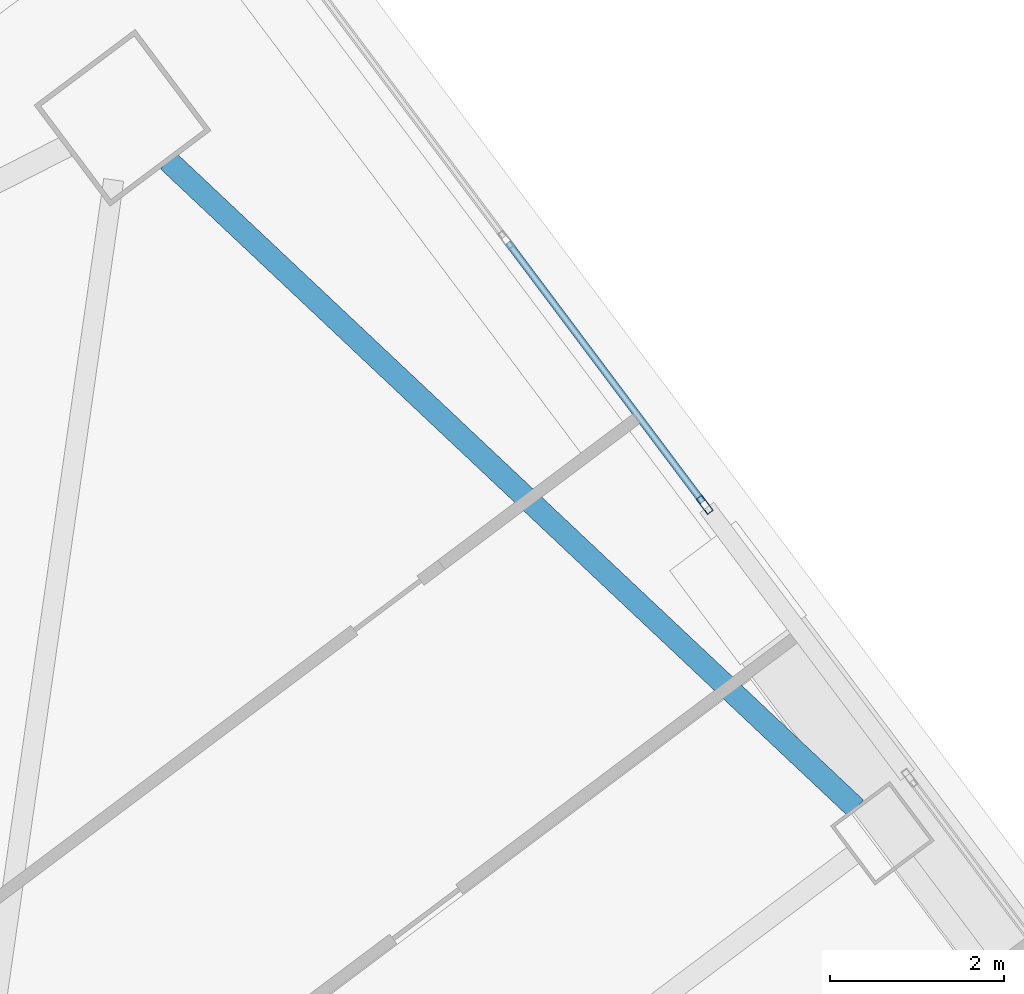
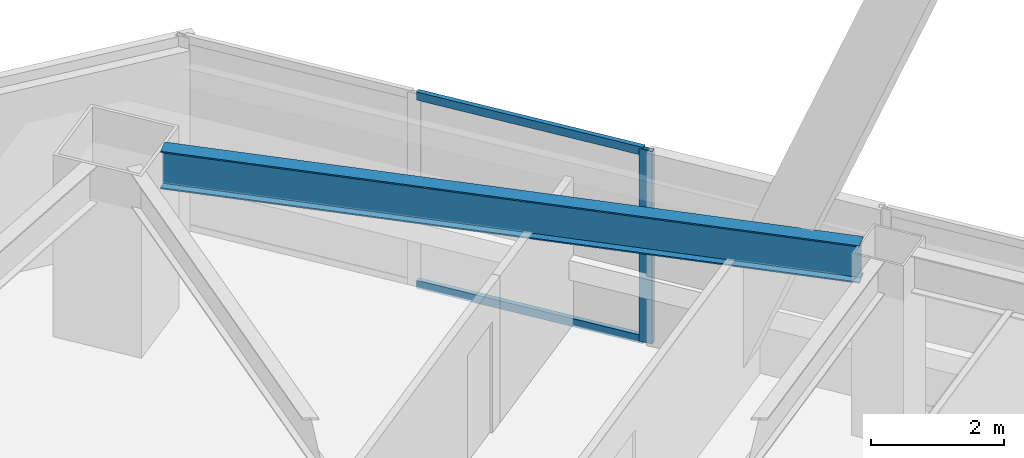
# One storey, part 37 of 54: 3 members, 1 beam, 1 element without a shape of its own.
"""IFC4 building model written with IfcOpenShell, lengths in metres."""

from ifc_helpers import new_model, si_unit, direction, frame, origin, origin_2d, place, context, subcontext, project, spatial, hollow_rectangle, i_section, extrude, material, material_profile, profile_set, type_object, element, aggregate, save


model = new_model("IFC4")

# Units and contexts
model_context = context("Model", 3, precision=1e-05, world=origin(), true_north=direction((0.0, 1.0)))
body_context = subcontext(model_context, "Body", "Model", "MODEL_VIEW")
ifc_project = project(units=[si_unit("LENGTHUNIT", "METRE"), si_unit("AREAUNIT", "SQUARE_METRE"), si_unit("VOLUMEUNIT", "CUBIC_METRE"), si_unit("PLANEANGLEUNIT", "RADIAN"), si_unit("MASSUNIT", "GRAM", prefix="KILO")], contexts=[model_context])

# Site, building, storey
site_placement = place(None, origin())
site = spatial("IfcSite", under=ifc_project, at=site_placement, CompositionType="ELEMENT")
building_placement = place(site_placement, origin())
building = spatial("IfcBuilding", under=site, at=building_placement, Name="Tashvorn Skyway Center", CompositionType="ELEMENT")
storey_placement = place(building_placement, frame((0.0, 0.0, 88.5)))
storey = spatial("IfcBuildingStorey", under=building, at=storey_placement, Name="L23", CompositionType="ELEMENT", Elevation=88.5)

# Beam
ifc_material_1 = material(Name="Steel ASTM A992 Grade 50", Category="steel")
ifc_material_profile_1 = material_profile(ifc_material_1, i_section(OverallWidth=0.256103515625, OverallDepth=0.693115234375, WebThickness=0.014404296875, FlangeThickness=0.023681640625, at=origin_2d()), Name="W27X114")
ifc_profile_set_1 = profile_set([ifc_material_profile_1], Name="Steel ASTM A992 Grade 50")
beam_type = type_object("IfcBeamType", Name="BM-SPANDREL-W27X114", PredefinedType="SPANDREL", material=ifc_profile_set_1)
beam_placement = place(storey_placement, frame((125.854248046875, 48.157958984375, 3.00341796875), z_axis=(-0.728086883893, 0.685484857238, 0.0), x_axis=(-0.685484857238, -0.728086883893, 0.0)))
element("IfcBeam", 1, at=beam_placement, inside=storey, type_object=beam_type, Name="Tower 2 L23 Spandrel Beam 06", PredefinedType="SPANDREL", context=body_context, shape_type="SweptSolid", body=[
    extrude(i_section(OverallWidth=0.256103515625, OverallDepth=0.693115234375, WebThickness=0.014404296875, FlangeThickness=0.023681640625, at=origin_2d()), origin(), (0.0, 0.0, 1.0), 10.8369140625),
])

# Curtain wall, members
ifc_material_2 = material(Name="Thermally broken bronze-anodized aluminium 6063-T6", Category="aluminium")
curtain_wall_type = type_object("IfcCurtainWallType", Name="CW-CW-Z2", PredefinedType="NOTDEFINED", material=ifc_material_2)
curtain_wall_placement = place(storey_placement, origin())
curtain_wall = element("IfcCurtainWall", 2, at=curtain_wall_placement, inside=storey, type_object=curtain_wall_type, Name="Tower 2 L23 East Unitised Curtain Wall Glazing Group 1", PredefinedType="NOTDEFINED")
ifc_material_profile_2 = material_profile(ifc_material_2, hollow_rectangle(XDim=0.080078125, YDim=0.219970703125, WallThickness=0.0048828125, at=origin_2d()), Name="ALU-MULL-80x220")
ifc_profile_set_2 = profile_set([ifc_material_profile_2], Name="Thermally broken bronze-anodized aluminium 6063-T6")
member_type_1 = type_object("IfcMemberType", Name="CWM-CW-Z2", PredefinedType="MULLION", material=ifc_profile_set_2)
member_1_placement = place(storey_placement, frame((124.1201171875, 51.639892578125, 0.0), z_axis=(0.0, 0.0, 1.0), x_axis=(0.799999999998, 0.600000000002, 0.0)))
member_1 = element("IfcMember", 3, at=member_1_placement, type_object=member_type_1, Name="CW-Z2 mullion 3", PredefinedType="MULLION", context=body_context, shape_type="SweptSolid", body=[
    extrude(hollow_rectangle(XDim=0.080078125, YDim=0.219970703125, WallThickness=0.0048828125, at=origin_2d()), origin(), (0.0, 0.0, 1.0), 3.550048828125),
])
ifc_material_profile_3 = material_profile(ifc_material_2, hollow_rectangle(XDim=0.080078125, YDim=0.14990234375, WallThickness=0.00439453125, at=origin_2d()), Name="ALU-TRAN-80x150")
ifc_profile_set_3 = profile_set([ifc_material_profile_3], Name="Thermally broken bronze-anodized aluminium 6063-T6")
member_type_2 = type_object("IfcMemberType", Name="CWT-CW-Z2", PredefinedType="USERDEFINED", material=ifc_profile_set_3)
member_2_placement = place(storey_placement, frame((121.864013671875, 54.64794921875, 0.0400390625), z_axis=(0.600010501117, -0.799992124055, 0.0), x_axis=(0.799992124055, 0.600010501117, 0.0)))
member_2 = element("IfcMember", 4, at=member_2_placement, type_object=member_type_2, Name="CW-Z2 transom 2.1", ObjectType="TRANSOM", PredefinedType="USERDEFINED", context=body_context, shape_type="SweptSolid", body=[
    extrude(hollow_rectangle(XDim=0.080078125, YDim=0.14990234375, WallThickness=0.00439453125, at=origin_2d()), origin(), (0.0, 0.0, 1.0), 3.7197265625),
])
member_3_placement = place(storey_placement, frame((121.864013671875, 54.64794921875, 3.510009765625), z_axis=(0.600010501117, -0.799992124055, 0.0), x_axis=(0.799992124055, 0.600010501117, 0.0)))
member_3 = element("IfcMember", 5, at=member_3_placement, type_object=member_type_2, Name="CW-Z2 transom 2.2", ObjectType="TRANSOM", PredefinedType="USERDEFINED", context=body_context, shape_type="SweptSolid", body=[
    extrude(hollow_rectangle(XDim=0.080078125, YDim=0.14990234375, WallThickness=0.00439453125, at=origin_2d()), origin(), (0.0, 0.0, 1.0), 3.7197265625),
])
aggregate(curtain_wall, [member_1, member_2, member_3])

save(model, "model.ifc")
